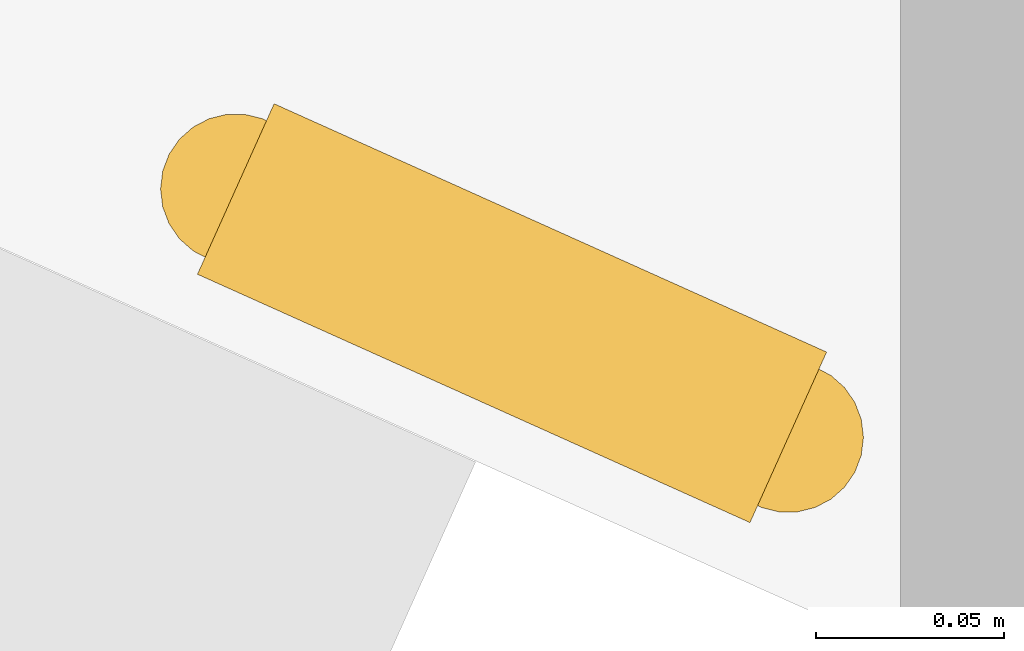
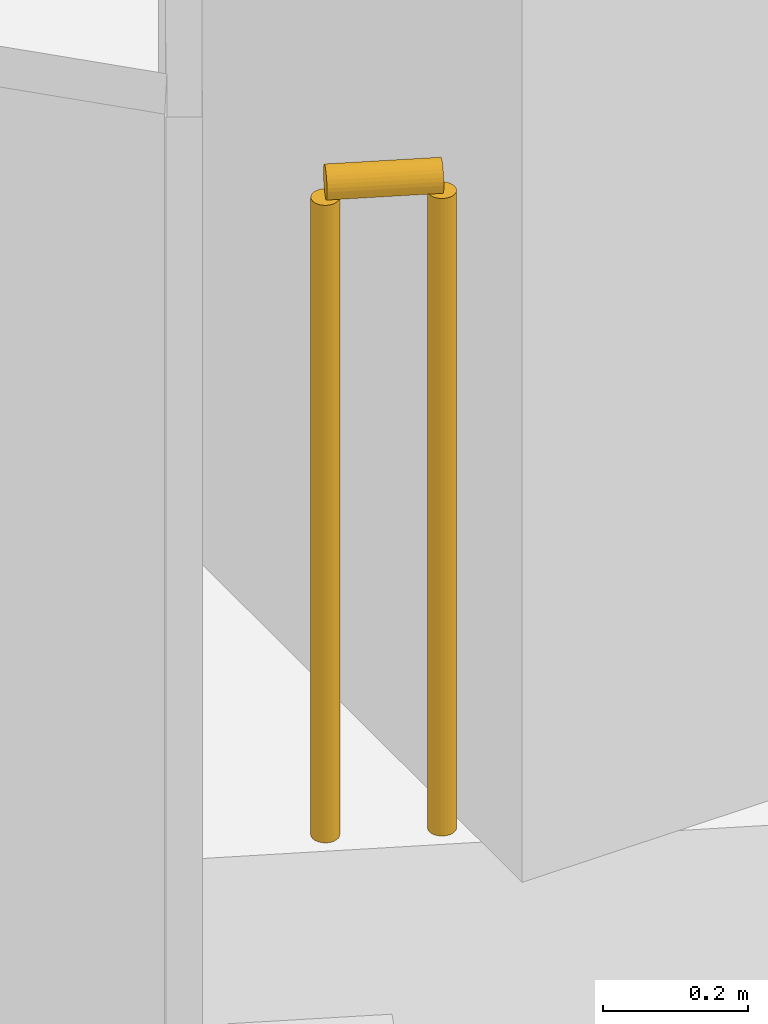
# One storey, part 31 of 34: 1 railing.
"""IFC4 building model written with IfcOpenShell, lengths in metres."""

from ifc_helpers import new_model, si_unit, direction, frame, origin, origin_2d, place, context, subcontext, project, spatial, circle, extrude, material, type_object, element, save


model = new_model("IFC4")

# Units and contexts
model_context = context("Model", 3, precision=1e-05, world=origin(), true_north=direction((0.0, 1.0)))
body_context = subcontext(model_context, "Body", "Model", "MODEL_VIEW")
ifc_project = project(units=[si_unit("LENGTHUNIT", "METRE"), si_unit("AREAUNIT", "SQUARE_METRE"), si_unit("VOLUMEUNIT", "CUBIC_METRE"), si_unit("PLANEANGLEUNIT", "RADIAN"), si_unit("MASSUNIT", "GRAM", prefix="KILO")], contexts=[model_context])

# Site, building, storey
site_placement = place(None, origin())
site = spatial("IfcSite", under=ifc_project, at=site_placement, CompositionType="ELEMENT")
building_placement = place(site_placement, origin())
building = spatial("IfcBuilding", under=site, at=building_placement, Name="Orlundy Tower", CompositionType="ELEMENT")
storey_placement = place(building_placement, frame((0.0, 0.0, 137.699951171875)))
storey = spatial("IfcBuildingStorey", under=building, at=storey_placement, Name="L35", CompositionType="ELEMENT", Elevation=137.699951171875)

# Railing
ifc_material = material(Name="Stainless steel bronze finish", Category="steel")
railing_type = type_object("IfcRailingType", Name="TG1 terrace guard", PredefinedType="GUARDRAIL", material=ifc_material)
railing_placement = place(storey_placement, frame((-34.001953125, -51.010498046875, 0.0)))
element("IfcRailing", 1, at=railing_placement, inside=storey, type_object=railing_type, Name="Guard TG-L35-E00", PredefinedType="GUARDRAIL", context=body_context, shape_type="SweptSolid", body=[
    extrude(circle(Radius=0.02490234375, at=origin_2d()), frame((0.0, 0.0, 1.09521484375), z_axis=(-0.912119519622, 0.409924361223, 0.0), x_axis=(-0.409924361223, -0.912119519622, 0.0)), (0.0, 0.0, 1.0), 0.161376953125),
    extrude(circle(Radius=0.02001953125, at=origin_2d()), origin(), (0.0, 0.0, 1.0), 1.070068359375),
    extrude(circle(Radius=0.02001953125, at=origin_2d()), frame((-0.147216796875, 0.066162109375, 0.0)), (0.0, 0.0, 1.0), 1.070068359375),
])

save(model, "model.ifc")
